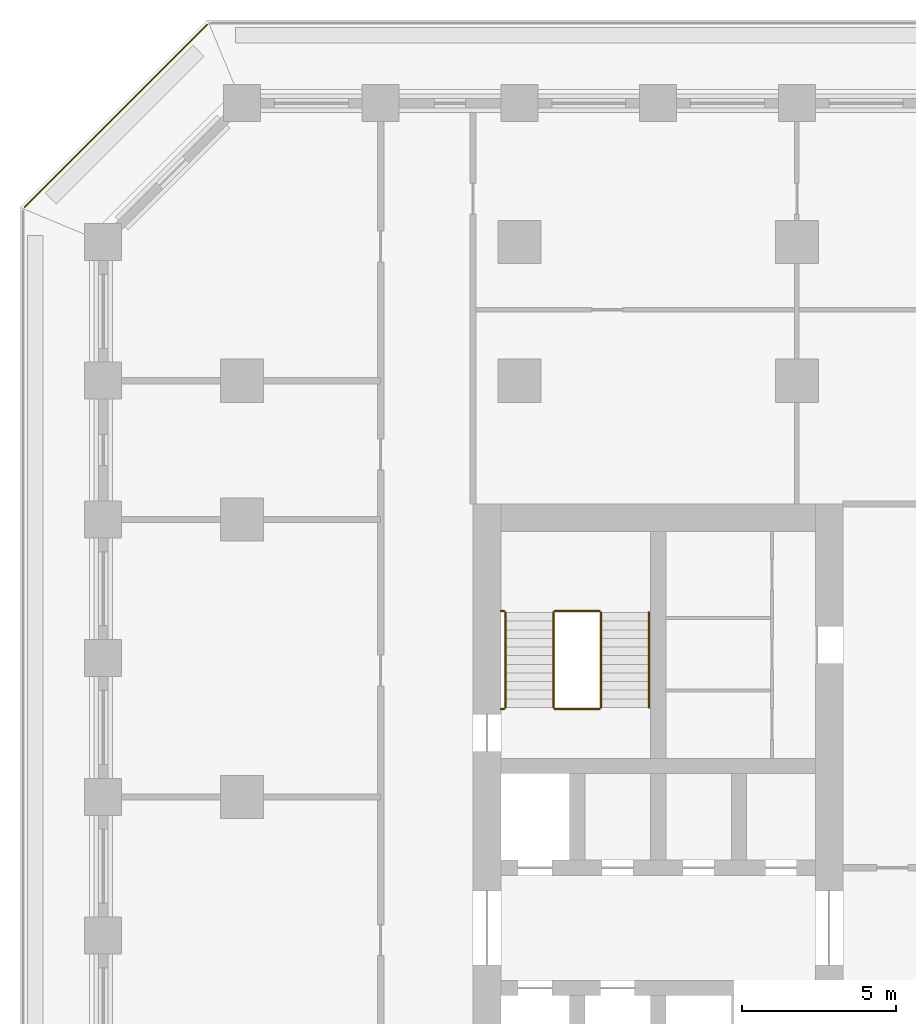
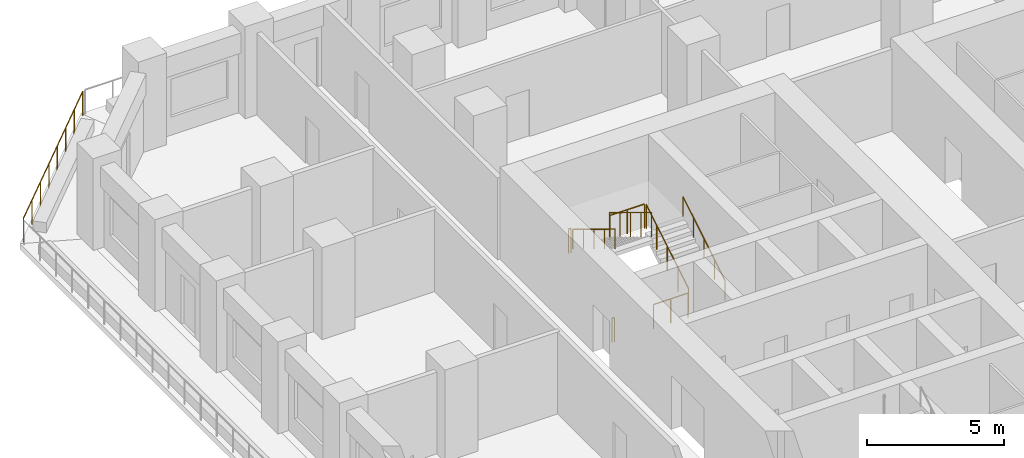
# One storey, part 14 of 17: 9 railings.
"""IFC4 building model written with IfcOpenShell, lengths in metres."""

from ifc_helpers import new_model, si_unit, direction, frame, origin, origin_2d, place, context, subcontext, project, spatial, circle, extrude, material, type_object, element, save


model = new_model("IFC4")

# Units and contexts
model_context = context("Model", 3, precision=1e-05, world=origin(), true_north=direction((0.0, 1.0)))
body_context = subcontext(model_context, "Body", "Model", "MODEL_VIEW")
ifc_project = project(units=[si_unit("LENGTHUNIT", "METRE"), si_unit("AREAUNIT", "SQUARE_METRE"), si_unit("VOLUMEUNIT", "CUBIC_METRE"), si_unit("PLANEANGLEUNIT", "RADIAN"), si_unit("MASSUNIT", "GRAM", prefix="KILO")], contexts=[model_context])

# Site, building, storey
site_placement = place(None, origin())
site = spatial("IfcSite", under=ifc_project, at=site_placement, CompositionType="ELEMENT")
building_placement = place(site_placement, origin())
building = spatial("IfcBuilding", under=site, at=building_placement, Name="Corbel Stack Research Tower", CompositionType="ELEMENT")
storey_placement = place(building_placement, frame((0.0, 0.0, 86.10009765625)))
storey = spatial("IfcBuildingStorey", under=building, at=storey_placement, Name="L19", CompositionType="ELEMENT", Elevation=86.10009765625)

# Railings
ifc_material_1 = material(Name="Steel S355", Category="steel")
railing_type_1 = type_object("IfcRailingType", Name="Stair guard 1100", PredefinedType="GUARDRAIL", material=ifc_material_1)
railing_1_placement = place(storey_placement, frame((-6.35009765625, 11.89990234375, 0.170654296875)))
element("IfcRailing", 1, at=railing_1_placement, inside=storey, type_object=railing_type_1, Name="L19 ST-W2 stair guard 1", PredefinedType="GUARDRAIL", context=body_context, shape_type="SweptSolid", body=[
    extrude(circle(Radius=0.02392578125, at=origin_2d()), frame((0.0, 0.0, 1.076171875), z_axis=(0.0, 0.853666305674, 0.52082035152), x_axis=(-1.0, 0.0, 0.0)), (0.0, 0.0, 1.0), 3.608154296875),
    extrude(circle(Radius=0.02099609375, at=origin_2d()), origin(), (0.0, 0.0, 1.0), 1.052001953125),
    extrude(circle(Radius=0.02099609375, at=origin_2d()), frame((0.0, 0.77001953125, 0.4697265625)), (0.0, 0.0, 1.0), 1.052001953125),
    extrude(circle(Radius=0.02099609375, at=origin_2d()), frame((0.0, 1.5400390625, 0.939453125)), (0.0, 0.0, 1.0), 1.052001953125),
    extrude(circle(Radius=0.02099609375, at=origin_2d()), frame((0.0, 2.31005859375, 1.409423828125)), (0.0, 0.0, 1.0), 1.052001953125),
    extrude(circle(Radius=0.02099609375, at=origin_2d()), frame((0.0, 3.080078125, 1.879150390625)), (0.0, 0.0, 1.0), 1.052001953125),
])
railing_2_placement = place(storey_placement, frame((-6.39990234375, 15.030029296875, 2.0498046875)))
element("IfcRailing", 2, at=railing_2_placement, inside=storey, type_object=railing_type_1, Name="L19 ST-W2 stair guard 2", PredefinedType="GUARDRAIL", context=body_context, shape_type="SweptSolid", body=[
    extrude(circle(Radius=0.02392578125, at=origin_2d()), frame((0.0, 0.0, 1.076171875), z_axis=(-1.0, 0.0, 0.0), x_axis=(0.0, -1.0, 0.0)), (0.0, 0.0, 1.0), 1.4501953125),
    extrude(circle(Radius=0.02099609375, at=origin_2d()), origin(), (0.0, 0.0, 1.0), 1.052001953125),
    extrude(circle(Radius=0.02099609375, at=origin_2d()), frame((-0.72509765625, 0.0, 0.0)), (0.0, 0.0, 1.0), 1.052001953125),
    extrude(circle(Radius=0.02099609375, at=origin_2d()), frame((-1.4501953125, 0.0, 0.0)), (0.0, 0.0, 1.0), 1.052001953125),
])
railing_3_placement = place(storey_placement, frame((-9.5, 15.030029296875, 2.0498046875)))
element("IfcRailing", 3, at=railing_3_placement, inside=storey, type_object=railing_type_1, Name="L19 ST-W2 stair guard 3", PredefinedType="GUARDRAIL", context=body_context, shape_type="SweptSolid", body=[
    extrude(circle(Radius=0.02392578125, at=origin_2d()), frame((0.0, 0.0, 1.076171875), z_axis=(-1.0, 0.0, 0.0), x_axis=(0.0, -1.0, 0.0)), (0.0, 0.0, 1.0), 0.10009765625),
    extrude(circle(Radius=0.02099609375, at=origin_2d()), origin(), (0.0, 0.0, 1.0), 1.052001953125),
    extrude(circle(Radius=0.02099609375, at=origin_2d()), frame((-0.10009765625, 0.0, 0.0)), (0.0, 0.0, 1.0), 1.052001953125),
])
railing_4_placement = place(storey_placement, frame((-7.89990234375, 14.97998046875, 2.220703125)))
element("IfcRailing", 4, at=railing_4_placement, inside=storey, type_object=railing_type_1, Name="L19 ST-W2 stair guard 4", PredefinedType="GUARDRAIL", context=body_context, shape_type="SweptSolid", body=[
    extrude(circle(Radius=0.02392578125, at=origin_2d()), frame((0.0, 0.0, 1.076171875), z_axis=(0.0, -0.853666305674, 0.52082035152), x_axis=(1.0, 0.0, 0.0)), (0.0, 0.0, 1.0), 3.608154296875),
    extrude(circle(Radius=0.02099609375, at=origin_2d()), origin(), (0.0, 0.0, 1.0), 1.052001953125),
    extrude(circle(Radius=0.02099609375, at=origin_2d()), frame((0.0, -0.77001953125, 0.4697265625)), (0.0, 0.0, 1.0), 1.052001953125),
    extrude(circle(Radius=0.02099609375, at=origin_2d()), frame((0.0, -1.5400390625, 0.939453125)), (0.0, 0.0, 1.0), 1.052001953125),
    extrude(circle(Radius=0.02099609375, at=origin_2d()), frame((0.0, -2.31005859375, 1.409423828125)), (0.0, 0.0, 1.0), 1.052001953125),
    extrude(circle(Radius=0.02099609375, at=origin_2d()), frame((0.0, -3.080078125, 1.879150390625)), (0.0, 0.0, 1.0), 1.052001953125),
])
railing_5_placement = place(storey_placement, frame((-6.39990234375, 11.85009765625, 0.0)))
element("IfcRailing", 5, at=railing_5_placement, inside=storey, type_object=railing_type_1, Name="L19 ST-W2 stair guard 5", PredefinedType="GUARDRAIL", context=body_context, shape_type="SweptSolid", body=[
    extrude(circle(Radius=0.02392578125, at=origin_2d()), frame((0.0, 0.0, 1.076171875), z_axis=(-1.0, 0.0, 0.0), x_axis=(0.0, -1.0, 0.0)), (0.0, 0.0, 1.0), 1.4501953125),
    extrude(circle(Radius=0.02099609375, at=origin_2d()), origin(), (0.0, 0.0, 1.0), 1.052001953125),
    extrude(circle(Radius=0.02099609375, at=origin_2d()), frame((-0.72509765625, 0.0, 0.0)), (0.0, 0.0, 1.0), 1.052001953125),
    extrude(circle(Radius=0.02099609375, at=origin_2d()), frame((-1.4501953125, 0.0, 0.0)), (0.0, 0.0, 1.0), 1.052001953125),
])
railing_6_placement = place(storey_placement, frame((-9.5, 11.85009765625, 0.0)))
element("IfcRailing", 6, at=railing_6_placement, inside=storey, type_object=railing_type_1, Name="L19 ST-W2 stair guard 6", PredefinedType="GUARDRAIL", context=body_context, shape_type="SweptSolid", body=[
    extrude(circle(Radius=0.02392578125, at=origin_2d()), frame((0.0, 0.0, 1.076171875), z_axis=(-1.0, 0.0, 0.0), x_axis=(0.0, -1.0, 0.0)), (0.0, 0.0, 1.0), 0.10009765625),
    extrude(circle(Radius=0.02099609375, at=origin_2d()), origin(), (0.0, 0.0, 1.0), 1.052001953125),
    extrude(circle(Radius=0.02099609375, at=origin_2d()), frame((-0.10009765625, 0.0, 0.0)), (0.0, 0.0, 1.0), 1.052001953125),
])
ifc_material_2 = material(Name="Steel S355", Category="steel")
railing_type_2 = type_object("IfcRailingType", Name="Stair handrail 900", PredefinedType="HANDRAIL", material=ifc_material_2)
railing_7_placement = place(storey_placement, frame((-4.800048828125, 11.89990234375, 0.170654296875)))
element("IfcRailing", 7, at=railing_7_placement, inside=storey, type_object=railing_type_2, Name="L19 ST-W2 stair handrail 1", PredefinedType="HANDRAIL", context=body_context, shape_type="SweptSolid", body=[
    extrude(circle(Radius=0.02392578125, at=origin_2d()), frame((0.0, 0.0, 0.8759765625), z_axis=(0.0, 0.853666305674, 0.52082035152), x_axis=(-1.0, 0.0, 0.0)), (0.0, 0.0, 1.0), 3.608154296875),
    extrude(circle(Radius=0.02099609375, at=origin_2d()), origin(), (0.0, 0.0, 1.0), 0.851806640625),
    extrude(circle(Radius=0.02099609375, at=origin_2d()), frame((0.0, 0.77001953125, 0.4697265625)), (0.0, 0.0, 1.0), 0.851806640625),
    extrude(circle(Radius=0.02099609375, at=origin_2d()), frame((0.0, 1.5400390625, 0.939453125)), (0.0, 0.0, 1.0), 0.851806640625),
    extrude(circle(Radius=0.02099609375, at=origin_2d()), frame((0.0, 2.31005859375, 1.409423828125)), (0.0, 0.0, 1.0), 0.851806640625),
    extrude(circle(Radius=0.02099609375, at=origin_2d()), frame((0.0, 3.080078125, 1.879150390625)), (0.0, 0.0, 1.0), 0.851806640625),
])
railing_8_placement = place(storey_placement, frame((-9.449951171875, 14.97998046875, 2.220703125)))
element("IfcRailing", 8, at=railing_8_placement, inside=storey, type_object=railing_type_2, Name="L19 ST-W2 stair handrail 2", PredefinedType="HANDRAIL", context=body_context, shape_type="SweptSolid", body=[
    extrude(circle(Radius=0.02392578125, at=origin_2d()), frame((0.0, 0.0, 0.8759765625), z_axis=(0.0, -0.853666305674, 0.52082035152), x_axis=(1.0, 0.0, 0.0)), (0.0, 0.0, 1.0), 3.608154296875),
    extrude(circle(Radius=0.02099609375, at=origin_2d()), origin(), (0.0, 0.0, 1.0), 0.851806640625),
    extrude(circle(Radius=0.02099609375, at=origin_2d()), frame((0.0, -0.77001953125, 0.4697265625)), (0.0, 0.0, 1.0), 0.851806640625),
    extrude(circle(Radius=0.02099609375, at=origin_2d()), frame((0.0, -1.5400390625, 0.939453125)), (0.0, 0.0, 1.0), 0.851806640625),
    extrude(circle(Radius=0.02099609375, at=origin_2d()), frame((0.0, -2.31005859375, 1.409423828125)), (0.0, 0.0, 1.0), 0.851806640625),
    extrude(circle(Radius=0.02099609375, at=origin_2d()), frame((0.0, -3.080078125, 1.879150390625)), (0.0, 0.0, 1.0), 0.851806640625),
])
ifc_material_3 = material(Name="Powder-coated steel guard", Category="steel")
railing_type_3 = type_object("IfcRailingType", Name="Steel and glass guard 1100", PredefinedType="GUARDRAIL", material=ifc_material_3)
railing_9_placement = place(storey_placement, frame((-19.127685546875, 34.04931640625, 0.0)))
element("IfcRailing", 9, at=railing_9_placement, inside=storey, type_object=railing_type_3, Name="Loggia guard L19 NW", PredefinedType="GUARDRAIL", context=body_context, shape_type="SweptSolid", body=[
    extrude(circle(Radius=0.02392578125, at=origin_2d()), frame((0.0, 0.0, 1.076171875), z_axis=(-0.707106781187, -0.707106781187, 0.0), x_axis=(0.707106781187, -0.707106781187, 0.0)), (0.0, 0.0, 1.0), 8.37451171875),
    extrude(circle(Radius=0.02099609375, at=origin_2d()), origin(), (0.0, 0.0, 1.0), 1.052001953125),
    extrude(circle(Radius=0.02099609375, at=origin_2d()), frame((-0.845947265625, -0.845947265625, 0.0)), (0.0, 0.0, 1.0), 1.052001953125),
    extrude(circle(Radius=0.02099609375, at=origin_2d()), frame((-1.69189453125, -1.69189453125, 0.0)), (0.0, 0.0, 1.0), 1.052001953125),
    extrude(circle(Radius=0.02099609375, at=origin_2d()), frame((-2.537841796875, -2.537841796875, 0.0)), (0.0, 0.0, 1.0), 1.052001953125),
    extrude(circle(Radius=0.02099609375, at=origin_2d()), frame((-3.3837890625, -3.3837890625, 0.0)), (0.0, 0.0, 1.0), 1.052001953125),
    extrude(circle(Radius=0.02099609375, at=origin_2d()), frame((-4.229736328125, -4.229736328125, 0.0)), (0.0, 0.0, 1.0), 1.052001953125),
    extrude(circle(Radius=0.02099609375, at=origin_2d()), frame((-5.07568359375, -5.07568359375, 0.0)), (0.0, 0.0, 1.0), 1.052001953125),
    extrude(circle(Radius=0.02099609375, at=origin_2d()), frame((-5.921630859375, -5.921630859375, 0.0)), (0.0, 0.0, 1.0), 1.052001953125),
])

save(model, "model.ifc")
